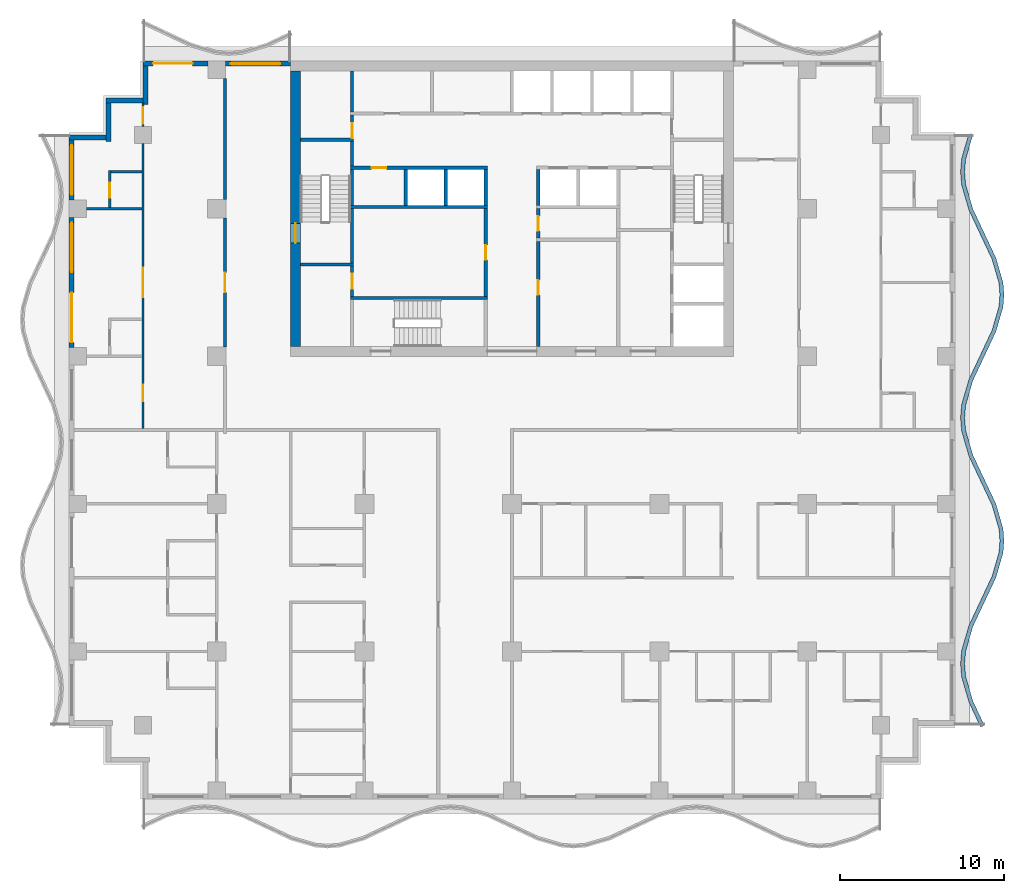
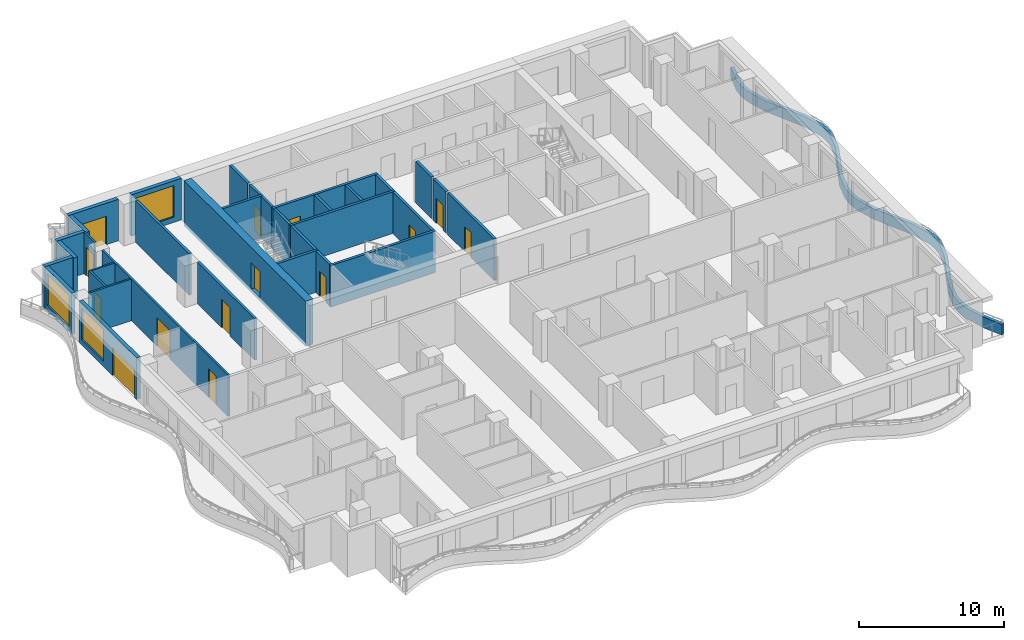
# One storey, part 5 of 11: 35 walls, 14 doors, 3 windows, 17 openings.
"""IFC4 building model written with IfcOpenShell, lengths in metres."""

from ifc_helpers import new_model, si_unit, direction, frame, frame_2d, origin, place, context, subcontext, project, spatial, polyline, rectangle, outline, extrude, material, layer, layer_set, type_object, element, fill, save


model = new_model("IFC4")

# Units and contexts
model_context = context("Model", 3, precision=1e-05, world=origin(), true_north=direction((0.0, 1.0)))
body_context = subcontext(model_context, "Body", "Model", "MODEL_VIEW")
ifc_project = project(units=[si_unit("LENGTHUNIT", "METRE"), si_unit("AREAUNIT", "SQUARE_METRE"), si_unit("VOLUMEUNIT", "CUBIC_METRE"), si_unit("PLANEANGLEUNIT", "RADIAN"), si_unit("MASSUNIT", "GRAM", prefix="KILO")], contexts=[model_context])

# Site, building, storey
site_placement = place(None, origin())
site = spatial("IfcSite", under=ifc_project, at=site_placement, CompositionType="ELEMENT")
building_placement = place(site_placement, origin())
building = spatial("IfcBuilding", under=site, at=building_placement, Name="Orbiselva Terraces", CompositionType="ELEMENT")
storey_placement = place(building_placement, frame((0.0, 0.0, 195.8)))
storey = spatial("IfcBuildingStorey", under=building, at=storey_placement, Name="L49", CompositionType="ELEMENT", Elevation=195.8)

# Wall, opening, door
ifc_material_1 = material(Name="Concrete C80/95", Category="concrete")
ifc_layer_1 = layer(ifc_material_1, 0.6)
ifc_layer_set_1 = layer_set([ifc_layer_1], Name="Concrete C80/95")
wall_type_1 = type_object("IfcWallType", Name="CORE WALL 600", PredefinedType="SHEAR", material=ifc_layer_set_1)
wall_1_placement = place(storey_placement, frame((-13.2, 21.9, -0.3), z_axis=(0.0, 0.0, 1.0), x_axis=(0.0, -1.0, 0.0)))
wall_1 = element("IfcWall", 1, at=wall_1_placement, inside=storey, type_object=wall_type_1, Name="Core wall L49 west", PredefinedType="SHEAR", context=body_context, shape_type="SweptSolid", body=[
    extrude(rectangle(XDim=16.8, YDim=0.6, at=frame_2d((8.4, 0.0))), origin(), (0.0, 0.0, 1.0), 3.8),
])
opening_1_placement = place(wall_1_placement, frame((9.3, 0.0, 0.3)))
opening_1 = element("IfcOpeningElement", 2, at=opening_1_placement, cuts=wall_1, Name="Opening DS1200", PredefinedType="OPENING", context=body_context, shape_type="SweptSolid", body=[
    extrude(rectangle(XDim=1.2, YDim=2.2, at=frame_2d((0.6, 1.1))), frame((0.0, 0.31, 0.0), z_axis=(0.0, -1.0, 0.0), x_axis=(1.0, 0.0, 0.0)), (0.0, 0.0, 1.0), 0.62),
])
ifc_material_2 = material(Name="Steel fire door", Category="steel")
door_type_1 = type_object("IfcDoorType", Name="STAIR DOOR 1200", OperationType="NOTDEFINED", PredefinedType="DOOR", material=ifc_material_2)
door_1_placement = place(opening_1_placement, frame((1.2, 0.0, 0.0), z_axis=(0.0, 0.0, 1.0), x_axis=(-1.0, 0.0, 0.0)))
door_1 = element("IfcDoor", 3, at=door_1_placement, inside=storey, type_object=door_type_1, Name="L49 EXIT STAIR S1 door", OperationType="SINGLE_SWING_RIGHT", OverallHeight=2.2, OverallWidth=1.2, PredefinedType="DOOR", context=body_context, shape_type="SweptSolid", body=[
    extrude(rectangle(XDim=1.2, YDim=2.2, at=frame_2d((0.6, 1.1))), frame((0.0, 0.025, 0.0), z_axis=(0.0, -1.0, 0.0), x_axis=(1.0, 0.0, 0.0)), (0.0, 0.0, 1.0), 0.05),
])
fill(opening_1, door_1)

ifc_material_3 = material(Name="Masonry blockwork", Category="masonry")
ifc_layer_2 = layer(ifc_material_3, 0.2)
ifc_layer_set_2 = layer_set([ifc_layer_2], Name="Masonry blockwork")
wall_type_2 = type_object("IfcWallType", Name="CORE-WALL-PARTITION-200", PredefinedType="PARTITIONING", material=ifc_layer_set_2)
wall_2_placement = place(storey_placement, frame((-9.75, 8.15, 0.0), z_axis=(0.0, 0.0, 1.0), x_axis=(0.0, 1.0, 0.0)))
wall_2 = element("IfcWall", 4, at=wall_2_placement, inside=storey, type_object=wall_type_2, Name="L49 core wall 05", PredefinedType="PARTITIONING", context=body_context, shape_type="SweptSolid", body=[
    extrude(rectangle(XDim=1.85, YDim=0.2, at=frame_2d((0.925, 0.0))), origin(), (0.0, 0.0, 1.0), 3.5),
])
opening_2_placement = place(wall_2_placement, frame((0.475, 0.0, 0.0)))
opening_2 = element("IfcOpeningElement", 5, at=opening_2_placement, cuts=wall_2, Name="Opening DR900", PredefinedType="OPENING", context=body_context, shape_type="SweptSolid", body=[
    extrude(rectangle(XDim=0.9, YDim=2.1, at=frame_2d((0.45, 1.05))), frame((0.0, 0.11, 0.0), z_axis=(0.0, -1.0, 0.0), x_axis=(1.0, 0.0, 0.0)), (0.0, 0.0, 1.0), 0.22),
])
door_type_2 = type_object("IfcDoorType", Name="ROOM DOOR 900", OperationType="NOTDEFINED", PredefinedType="DOOR", material=ifc_material_2)
door_2_placement = place(opening_2_placement, origin())
door_2 = element("IfcDoor", 6, at=door_2_placement, inside=storey, type_object=door_type_2, Name="L49 ACCESSIBLE WC door", OperationType="SINGLE_SWING_RIGHT", OverallHeight=2.1, OverallWidth=0.9, PredefinedType="DOOR", context=body_context, shape_type="SweptSolid", body=[
    extrude(rectangle(XDim=0.9, YDim=2.1, at=frame_2d((0.45, 1.05))), frame((0.0, 0.025, 0.0), z_axis=(0.0, -1.0, 0.0), x_axis=(1.0, 0.0, 0.0)), (0.0, 0.0, 1.0), 0.05),
])
fill(opening_2, door_2)

wall_3_placement = place(storey_placement, frame((-9.75, 17.8, 0.0), z_axis=(0.0, 0.0, 1.0), x_axis=(0.0, 1.0, 0.0)))
wall_3 = element("IfcWall", 7, at=wall_3_placement, inside=storey, type_object=wall_type_2, Name="L49 core wall 11", PredefinedType="PARTITIONING", context=body_context, shape_type="SweptSolid", body=[
    extrude(rectangle(XDim=1.4, YDim=0.2, at=frame_2d((0.7, 0.0))), origin(), (0.0, 0.0, 1.0), 3.5),
])
opening_3_placement = place(wall_3_placement, origin())
opening_3 = element("IfcOpeningElement", 8, at=opening_3_placement, cuts=wall_3, Name="Opening DR900", PredefinedType="OPENING", context=body_context, shape_type="SweptSolid", body=[
    extrude(rectangle(XDim=0.9, YDim=2.1, at=frame_2d((0.45, 1.05))), frame((0.0, 0.11, 0.0), z_axis=(0.0, -1.0, 0.0), x_axis=(1.0, 0.0, 0.0)), (0.0, 0.0, 1.0), 0.22),
])
door_3_placement = place(opening_3_placement, origin())
door_3 = element("IfcDoor", 9, at=door_3_placement, inside=storey, type_object=door_type_2, Name="L49 COMMS RISER ROOM door", OperationType="SINGLE_SWING_LEFT", OverallHeight=2.1, OverallWidth=0.9, PredefinedType="DOOR", context=body_context, shape_type="SweptSolid", body=[
    extrude(rectangle(XDim=0.9, YDim=2.1, at=frame_2d((0.45, 1.05))), frame((0.0, 0.025, 0.0), z_axis=(0.0, -1.0, 0.0), x_axis=(1.0, 0.0, 0.0)), (0.0, 0.0, 1.0), 0.05),
])
fill(opening_3, door_3)

# Wall
wall_4_placement = place(storey_placement, frame((-9.75, 19.4, 0.0), z_axis=(0.0, 0.0, 1.0), x_axis=(0.0, 1.0, 0.0)))
element("IfcWall", 10, at=wall_4_placement, inside=storey, type_object=wall_type_2, Name="L49 core wall 13", PredefinedType="PARTITIONING", context=body_context, shape_type="SweptSolid", body=[
    extrude(rectangle(XDim=2.5, YDim=0.2, at=frame_2d((1.25, 0.0))), origin(), (0.0, 0.0, 1.0), 3.5),
])

# Wall, opening, door
wall_5_placement = place(storey_placement, frame((1.6, 13.5, 0.0), z_axis=(0.0, 0.0, 1.0), x_axis=(0.0, -1.0, 0.0)))
wall_5 = element("IfcWall", 11, at=wall_5_placement, inside=storey, type_object=wall_type_2, Name="L49 core wall 23", PredefinedType="PARTITIONING", context=body_context, shape_type="SweptSolid", body=[
    extrude(rectangle(XDim=1.8, YDim=0.2, at=frame_2d((0.9, 0.0))), origin(), (0.0, 0.0, 1.0), 3.5),
])
opening_4_placement = place(wall_5_placement, frame((0.45, 0.0, 0.0)))
opening_4 = element("IfcOpeningElement", 12, at=opening_4_placement, cuts=wall_5, Name="Opening DR900", PredefinedType="OPENING", context=body_context, shape_type="SweptSolid", body=[
    extrude(rectangle(XDim=0.9, YDim=2.1, at=frame_2d((0.45, 1.05))), frame((0.0, 0.11, 0.0), z_axis=(0.0, -1.0, 0.0), x_axis=(1.0, 0.0, 0.0)), (0.0, 0.0, 1.0), 0.22),
])
door_4_placement = place(opening_4_placement, origin())
door_4 = element("IfcDoor", 13, at=door_4_placement, inside=storey, type_object=door_type_2, Name="L49 IT ROOM door", OperationType="SINGLE_SWING_LEFT", OverallHeight=2.1, OverallWidth=0.9, PredefinedType="DOOR", context=body_context, shape_type="SweptSolid", body=[
    extrude(rectangle(XDim=0.9, YDim=2.1, at=frame_2d((0.45, 1.05))), frame((0.0, 0.025, 0.0), z_axis=(0.0, -1.0, 0.0), x_axis=(1.0, 0.0, 0.0)), (0.0, 0.0, 1.0), 0.05),
])
fill(opening_4, door_4)

# Walls
ifc_material_4 = material(Name="Concrete C40/50", Category="concrete")
ifc_layer_3 = layer(ifc_material_4, 0.2)
ifc_layer_set_3 = layer_set([ifc_layer_3], Name="Concrete C40/50")
wall_type_3 = type_object("IfcWallType", Name="CORE-WALL-SHAFT-200", PredefinedType="PARTITIONING", material=ifc_layer_set_3)
for number, where, z_axis, x_axis, name in (
    (14, (-6.475, 13.7, 0.0), (0.0, 0.0, 1.0), (0.0, 1.0, 0.0), "L49 core wall 14"),
    (15, (-4.0375, 13.7, 0.0), (0.0, 0.0, 1.0), (0.0, 1.0, 0.0), "L49 core wall 16"),
    (16, (-1.6, 13.7, 0.0), (0.0, 0.0, 1.0), (0.0, 1.0, 0.0), "L49 core wall 19"),
    (17, (1.6, 13.7, 0.0), (0.0, 0.0, 1.0), (0.0, 1.0, 0.0), "L49 core wall 25"),
):
    element("IfcWall", number, at=place(storey_placement, frame(where, z_axis=z_axis, x_axis=x_axis)), inside=storey, type_object=wall_type_3, Name=name, PredefinedType="PARTITIONING", context=body_context, shape_type="SweptSolid", body=[
        extrude(rectangle(XDim=2.2, YDim=0.2, at=frame_2d((1.1, 0.0))), origin(), (0.0, 0.0, 1.0), 3.5),
    ])
ifc_material_5 = material(Name="Concrete C60/75", Category="concrete")
ifc_layer_4 = layer(ifc_material_5, 0.2)
ifc_layer_set_4 = layer_set([ifc_layer_4], Name="Concrete C60/75")
wall_type_4 = type_object("IfcWallType", Name="CORE-WALL-SHEAR-200", PredefinedType="SHEAR", material=ifc_layer_set_4)
for number, where, z_axis, x_axis, name in (
    (18, (-12.9, 10.1, 0.0), (0.0, 0.0, 1.0), (1.0, 0.0, 0.0), "L49 core wall 01"),
    (19, (-12.9, 17.7, 0.0), (0.0, 0.0, 1.0), (1.0, 0.0, 0.0), "L49 core wall 02"),
):
    element("IfcWall", number, at=place(storey_placement, frame(where, z_axis=z_axis, x_axis=x_axis)), inside=storey, type_object=wall_type_4, Name=name, PredefinedType="SHEAR", context=body_context, shape_type="SweptSolid", body=[
        extrude(rectangle(XDim=3.25, YDim=0.2, at=frame_2d((1.625, 0.0))), origin(), (0.0, 0.0, 1.0), 3.5),
    ])
wall_6_placement = place(storey_placement, frame((-9.85, 8.05, 0.0), z_axis=(0.0, 0.0, 1.0), x_axis=(1.0, 0.0, 0.0)))
element("IfcWall", 20, at=wall_6_placement, inside=storey, type_object=wall_type_4, Name="L49 core wall 04", PredefinedType="SHEAR", context=body_context, shape_type="SweptSolid", body=[
    extrude(rectangle(XDim=8.35, YDim=0.2, at=frame_2d((4.175, 0.0))), origin(), (0.0, 0.0, 1.0), 3.5),
])
wall_7_placement = place(storey_placement, frame((-9.75, 10.2, 0.0), z_axis=(0.0, 0.0, 1.0), x_axis=(0.0, 1.0, 0.0)))
element("IfcWall", 21, at=wall_7_placement, inside=storey, type_object=wall_type_4, Name="L49 core wall 06", PredefinedType="SHEAR", context=body_context, shape_type="SweptSolid", body=[
    extrude(rectangle(XDim=3.3, YDim=0.2, at=frame_2d((1.65, 0.0))), origin(), (0.0, 0.0, 1.0), 3.5),
])
wall_8_placement = place(storey_placement, frame((-9.85, 13.6, 0.0), z_axis=(0.0, 0.0, 1.0), x_axis=(1.0, 0.0, 0.0)))
element("IfcWall", 22, at=wall_8_placement, inside=storey, type_object=wall_type_4, Name="L49 core wall 07", PredefinedType="SHEAR", context=body_context, shape_type="SweptSolid", body=[
    extrude(rectangle(XDim=8.35, YDim=0.2, at=frame_2d((4.175, 0.0))), origin(), (0.0, 0.0, 1.0), 3.5),
])
wall_9_placement = place(storey_placement, frame((-9.75, 13.7, 0.0), z_axis=(0.0, 0.0, 1.0), x_axis=(0.0, 1.0, 0.0)))
element("IfcWall", 23, at=wall_9_placement, inside=storey, type_object=wall_type_4, Name="L49 core wall 08", PredefinedType="SHEAR", context=body_context, shape_type="SweptSolid", body=[
    extrude(rectangle(XDim=2.2, YDim=0.2, at=frame_2d((1.1, 0.0))), origin(), (0.0, 0.0, 1.0), 3.5),
])

# Wall, opening, door
wall_10_placement = place(storey_placement, frame((-1.5, 16.0, 0.0), z_axis=(0.0, 0.0, 1.0), x_axis=(-1.0, 0.0, 0.0)))
wall_10 = element("IfcWall", 24, at=wall_10_placement, inside=storey, type_object=wall_type_4, Name="L49 core wall 09", PredefinedType="SHEAR", context=body_context, shape_type="SweptSolid", body=[
    extrude(rectangle(XDim=8.35, YDim=0.2, at=frame_2d((4.175, 0.0))), origin(), (0.0, 0.0, 1.0), 3.5),
])
opening_5_placement = place(wall_10_placement, frame((6.1625, 0.0, 0.0)))
opening_5 = element("IfcOpeningElement", 25, at=opening_5_placement, cuts=wall_10, Name="Opening DR900", PredefinedType="OPENING", context=body_context, shape_type="SweptSolid", body=[
    extrude(rectangle(XDim=0.9, YDim=2.1, at=frame_2d((0.45, 1.05))), frame((0.0, 0.11, 0.0), z_axis=(0.0, -1.0, 0.0), x_axis=(1.0, 0.0, 0.0)), (0.0, 0.0, 1.0), 0.22),
])
door_5_placement = place(opening_5_placement, origin())
door_5 = element("IfcDoor", 26, at=door_5_placement, inside=storey, type_object=door_type_2, Name="L49 IT ROOM door", OperationType="SINGLE_SWING_RIGHT", OverallHeight=2.1, OverallWidth=0.9, PredefinedType="DOOR", context=body_context, shape_type="SweptSolid", body=[
    extrude(rectangle(XDim=0.9, YDim=2.1, at=frame_2d((0.45, 1.05))), frame((0.0, 0.025, 0.0), z_axis=(0.0, -1.0, 0.0), x_axis=(1.0, 0.0, 0.0)), (0.0, 0.0, 1.0), 0.05),
])
fill(opening_5, door_5)

# Wall
wall_11_placement = place(storey_placement, frame((-9.75, 16.1, 0.0), z_axis=(0.0, 0.0, 1.0), x_axis=(0.0, 1.0, 0.0)))
element("IfcWall", 27, at=wall_11_placement, inside=storey, type_object=wall_type_4, Name="L49 core wall 10", PredefinedType="SHEAR", context=body_context, shape_type="SweptSolid", body=[
    extrude(rectangle(XDim=1.5, YDim=0.2, at=frame_2d((0.75, 0.0))), origin(), (0.0, 0.0, 1.0), 3.5),
])

# Wall, opening, door
wall_12_placement = place(storey_placement, frame((-1.6, 8.15, 0.0), z_axis=(0.0, 0.0, 1.0), x_axis=(0.0, 1.0, 0.0)))
wall_12 = element("IfcWall", 28, at=wall_12_placement, inside=storey, type_object=wall_type_4, Name="L49 core wall 18", PredefinedType="SHEAR", context=body_context, shape_type="SweptSolid", body=[
    extrude(rectangle(XDim=5.35, YDim=0.2, at=frame_2d((2.675, 0.0))), origin(), (0.0, 0.0, 1.0), 3.5),
])
opening_6_placement = place(wall_12_placement, frame((2.225, 0.0, 0.0)))
opening_6 = element("IfcOpeningElement", 29, at=opening_6_placement, cuts=wall_12, Name="Opening DR900", PredefinedType="OPENING", context=body_context, shape_type="SweptSolid", body=[
    extrude(rectangle(XDim=0.9, YDim=2.1, at=frame_2d((0.45, 1.05))), frame((0.0, 0.11, 0.0), z_axis=(0.0, -1.0, 0.0), x_axis=(1.0, 0.0, 0.0)), (0.0, 0.0, 1.0), 0.22),
])
door_6_placement = place(opening_6_placement, origin())
door_6 = element("IfcDoor", 30, at=door_6_placement, inside=storey, type_object=door_type_2, Name="L49 LINEN STORE door", OperationType="SINGLE_SWING_RIGHT", OverallHeight=2.1, OverallWidth=0.9, PredefinedType="DOOR", context=body_context, shape_type="SweptSolid", body=[
    extrude(rectangle(XDim=0.9, YDim=2.1, at=frame_2d((0.45, 1.05))), frame((0.0, 0.025, 0.0), z_axis=(0.0, -1.0, 0.0), x_axis=(1.0, 0.0, 0.0)), (0.0, 0.0, 1.0), 0.05),
])
fill(opening_6, door_6)

wall_13_placement = place(storey_placement, frame((1.6, 11.5, 0.0), z_axis=(0.0, 0.0, 1.0), x_axis=(0.0, -1.0, 0.0)))
wall_13 = element("IfcWall", 31, at=wall_13_placement, inside=storey, type_object=wall_type_4, Name="L49 core wall 21", PredefinedType="SHEAR", context=body_context, shape_type="SweptSolid", body=[
    extrude(rectangle(XDim=6.4, YDim=0.2, at=frame_2d((3.2, 0.0))), origin(), (0.0, 0.0, 1.0), 3.5),
])
opening_7_placement = place(wall_13_placement, frame((2.35, 0.0, 0.0)))
opening_7 = element("IfcOpeningElement", 32, at=opening_7_placement, cuts=wall_13, Name="Opening DR900", PredefinedType="OPENING", context=body_context, shape_type="SweptSolid", body=[
    extrude(rectangle(XDim=0.9, YDim=2.1, at=frame_2d((0.45, 1.05))), frame((0.0, 0.11, 0.0), z_axis=(0.0, -1.0, 0.0), x_axis=(1.0, 0.0, 0.0)), (0.0, 0.0, 1.0), 0.22),
])
door_7_placement = place(opening_7_placement, origin())
door_7 = element("IfcDoor", 33, at=door_7_placement, inside=storey, type_object=door_type_2, Name="L49 SERVICE ROOM door", OperationType="SINGLE_SWING_LEFT", OverallHeight=2.1, OverallWidth=0.9, PredefinedType="DOOR", context=body_context, shape_type="SweptSolid", body=[
    extrude(rectangle(XDim=0.9, YDim=2.1, at=frame_2d((0.45, 1.05))), frame((0.0, 0.025, 0.0), z_axis=(0.0, -1.0, 0.0), x_axis=(1.0, 0.0, 0.0)), (0.0, 0.0, 1.0), 0.05),
])
fill(opening_7, door_7)

# Wall
ifc_layer_5 = layer(ifc_material_4, 0.25)
ifc_layer_set_5 = layer_set([ifc_layer_5], Name="Concrete C40/50")
wall_type_5 = type_object("IfcWallType", Name="ENV-PLANTER-250x900", PredefinedType="USERDEFINED", material=ifc_layer_set_5)
wall_14_placement = place(storey_placement, origin())
element("IfcWall", 34, at=wall_14_placement, inside=storey, type_object=wall_type_5, Name="Balcony planter L49 E", ObjectType="PLANTER", PredefinedType="USERDEFINED", context=body_context, shape_type="SweptSolid", body=[
    extrude(outline(polyline([(28.8, -18.0), (28.094658, -16.5), (27.658732, -15.0), (27.6, -14.25), (27.658732, -13.5), (28.094658, -12.0), (28.8, -10.5), (29.505342, -9.0), (29.941268, -7.5), (30.0, -6.75), (29.941268, -6.0), (29.505342, -4.5), (28.8, -3.0), (28.094658, -1.5), (27.658732, 0.0), (27.6, 0.75), (27.658732, 1.5), (28.094658, 3.0), (28.8, 4.5), (29.505342, 6.0), (29.941268, 7.5), (30.0, 8.25), (29.941268, 9.0), (29.505342, 10.5), (28.8, 12.0), (28.094658, 13.5), (27.658732, 15.0), (27.6, 15.75), (27.658732, 16.5), (28.094658, 18.0), (27.85459, 18.069768), (27.411499, 16.545114), (27.349235, 15.75), (27.411499, 14.954886), (27.860069, 13.411382), (28.573764, 11.893617), (29.270753, 10.411382), (29.694035, 8.954886), (29.749235, 8.25), (29.694035, 7.545114), (29.270753, 6.088618), (28.573764, 4.606383), (27.860069, 3.088618), (27.411499, 1.545114), (27.349235, 0.75), (27.411499, -0.045114), (27.860069, -1.588618), (28.573764, -3.106383), (29.270753, -4.588618), (29.694035, -6.045114), (29.749235, -6.75), (29.694035, -7.454886), (29.270753, -8.911382), (28.573764, -10.393617), (27.860069, -11.911382), (27.411499, -13.454886), (27.349235, -14.25), (27.411499, -15.045114), (27.860069, -16.588618), (28.573764, -18.106383), (28.8, -18.0)])), origin(), (0.0, 0.0, 1.0), 0.9),
])

# Wall, opening, window
ifc_material_6 = material(Name="Terracotta cladding on masonry backing", Category="masonry")
ifc_layer_6 = layer(ifc_material_6, 0.3)
ifc_layer_set_6 = layer_set([ifc_layer_6], Name="Terracotta cladding on masonry backing")
wall_type_6 = type_object("IfcWallType", Name="ENV-WALL-TERRACOTTA-300", PredefinedType="SOLIDWALL", material=ifc_layer_set_6)
wall_15_placement = place(storey_placement, frame((-17.475, 22.35, 0.0), z_axis=(0.0, 0.0, 1.0), x_axis=(1.0, 0.0, 0.0)))
wall_15 = element("IfcWall", 35, at=wall_15_placement, inside=storey, type_object=wall_type_6, Name="Facade wall L49 NW", PredefinedType="SOLIDWALL", context=body_context, shape_type="SweptSolid", body=[
    extrude(rectangle(XDim=3.975, YDim=0.3, at=frame_2d((1.9875, 0.0))), origin(), (0.0, 0.0, 1.0), 3.5),
])
opening_8_placement = place(wall_15_placement, frame((0.325, 0.0, 0.45)))
opening_8 = element("IfcOpeningElement", 36, at=opening_8_placement, cuts=wall_15, Name="Opening WN14", PredefinedType="OPENING", context=body_context, shape_type="SweptSolid", body=[
    extrude(rectangle(XDim=3.025, YDim=2.65, at=frame_2d((1.5125, 1.325))), frame((0.0, 0.16, 0.0), z_axis=(0.0, -1.0, 0.0), x_axis=(1.0, 0.0, 0.0)), (0.0, 0.0, 1.0), 0.32),
])
ifc_material_7 = material(Name="Clear low-e glazing in aluminium frame", Category="aluminium")
window_type = type_object("IfcWindowType", Name="WINDOW 3025 X 2650 S450", PartitioningType="TRIPLE_PANEL_VERTICAL", PredefinedType="WINDOW", material=ifc_material_7)
window_1_placement = place(opening_8_placement, origin())
window_1 = element("IfcWindow", 37, at=window_1_placement, inside=storey, type_object=window_type, Name="Window L49 NW", OverallHeight=2.65, OverallWidth=3.025, PartitioningType="SINGLE_PANEL", PredefinedType="WINDOW", context=body_context, shape_type="SweptSolid", body=[
    extrude(rectangle(XDim=3.025, YDim=2.65, at=frame_2d((1.5125, 1.325))), frame((0.0, 0.03, 0.0), z_axis=(0.0, -1.0, 0.0), x_axis=(1.0, 0.0, 0.0)), (0.0, 0.0, 1.0), 0.06),
])
fill(opening_8, window_1)

# Wall, opening, door
wall_16_placement = place(storey_placement, frame((-22.5, 22.35, 0.0), z_axis=(0.0, 0.0, 1.0), x_axis=(1.0, 0.0, 0.0)))
wall_16 = element("IfcWall", 38, at=wall_16_placement, inside=storey, type_object=wall_type_6, Name="Facade wall L49 NW", PredefinedType="SOLIDWALL", context=body_context, shape_type="SweptSolid", body=[
    extrude(rectangle(XDim=3.975, YDim=0.3, at=frame_2d((1.9875, 0.0))), origin(), (0.0, 0.0, 1.0), 3.5),
])
opening_9_placement = place(wall_16_placement, frame((0.625, 0.0, 0.0)))
opening_9 = element("IfcOpeningElement", 39, at=opening_9_placement, cuts=wall_16, Name="Opening Z4-B-E07", PredefinedType="OPENING", context=body_context, shape_type="SweptSolid", body=[
    extrude(rectangle(XDim=2.4, YDim=2.4, at=frame_2d((1.2, 1.2))), frame((0.0, 0.16, 0.0), z_axis=(0.0, -1.0, 0.0), x_axis=(1.0, 0.0, 0.0)), (0.0, 0.0, 1.0), 0.32),
])
door_type_3 = type_object("IfcDoorType", Name="BALCONY DOOR 2400 X 2400", OperationType="DOUBLE_DOOR_SLIDING", PredefinedType="DOOR", material=ifc_material_7)
door_8_placement = place(opening_9_placement, origin())
door_8 = element("IfcDoor", 40, at=door_8_placement, inside=storey, type_object=door_type_3, Name="Z4-B-E07", OperationType="SINGLE_SWING_LEFT", OverallHeight=2.4, OverallWidth=2.4, PredefinedType="DOOR", context=body_context, shape_type="SweptSolid", body=[
    extrude(rectangle(XDim=2.4, YDim=2.4, at=frame_2d((1.2, 1.2))), frame((0.0, 0.025, 0.0), z_axis=(0.0, -1.0, 0.0), x_axis=(1.0, 0.0, 0.0)), (0.0, 0.0, 1.0), 0.05),
])
fill(opening_9, door_8)

# Walls
wall_17_placement = place(storey_placement, frame((-22.35, 19.85, 0.0), z_axis=(0.0, 0.0, 1.0), x_axis=(0.0, 1.0, 0.0)))
element("IfcWall", 41, at=wall_17_placement, inside=storey, type_object=wall_type_6, Name="Facade wall L49 STEP", PredefinedType="SOLIDWALL", context=body_context, shape_type="SweptSolid", body=[
    extrude(rectangle(XDim=2.35, YDim=0.3, at=frame_2d((1.175, 0.0))), origin(), (0.0, 0.0, 1.0), 3.5),
])
wall_18_placement = place(storey_placement, frame((-24.75, 20.1, 0.0), z_axis=(0.0, 0.0, 1.0), x_axis=(1.0, 0.0, 0.0)))
element("IfcWall", 42, at=wall_18_placement, inside=storey, type_object=wall_type_6, Name="Facade wall L49 STEP", PredefinedType="SOLIDWALL", context=body_context, shape_type="SweptSolid", body=[
    extrude(rectangle(XDim=2.25, YDim=0.3, at=frame_2d((1.125, 0.0))), origin(), (0.0, 0.0, 1.0), 3.5),
])
wall_19_placement = place(storey_placement, frame((-24.6, 17.6, 0.0), z_axis=(0.0, 0.0, 1.0), x_axis=(0.0, 1.0, 0.0)))
element("IfcWall", 43, at=wall_19_placement, inside=storey, type_object=wall_type_6, Name="Facade wall L49 STEP", PredefinedType="SOLIDWALL", context=body_context, shape_type="SweptSolid", body=[
    extrude(rectangle(XDim=2.35, YDim=0.3, at=frame_2d((1.175, 0.0))), origin(), (0.0, 0.0, 1.0), 3.5),
])
wall_20_placement = place(storey_placement, frame((-27.0, 17.85, 0.0), z_axis=(0.0, 0.0, 1.0), x_axis=(1.0, 0.0, 0.0)))
element("IfcWall", 44, at=wall_20_placement, inside=storey, type_object=wall_type_6, Name="Facade wall L49 STEP", PredefinedType="SOLIDWALL", context=body_context, shape_type="SweptSolid", body=[
    extrude(rectangle(XDim=2.25, YDim=0.3, at=frame_2d((1.125, 0.0))), origin(), (0.0, 0.0, 1.0), 3.5),
])

# Wall, opening, window
wall_21_placement = place(storey_placement, frame((-26.85, 14.025, 0.0), z_axis=(0.0, 0.0, 1.0), x_axis=(0.0, 1.0, 0.0)))
wall_21 = element("IfcWall", 45, at=wall_21_placement, inside=storey, type_object=wall_type_6, Name="Facade wall L49 W", PredefinedType="SOLIDWALL", context=body_context, shape_type="SweptSolid", body=[
    extrude(rectangle(XDim=3.675, YDim=0.3, at=frame_2d((1.8375, 0.0))), origin(), (0.0, 0.0, 1.0), 3.5),
])
opening_10_placement = place(wall_21_placement, frame((0.325, 0.0, 0.45)))
opening_10 = element("IfcOpeningElement", 46, at=opening_10_placement, cuts=wall_21, Name="Opening WN14", PredefinedType="OPENING", context=body_context, shape_type="SweptSolid", body=[
    extrude(rectangle(XDim=3.025, YDim=2.65, at=frame_2d((1.5125, 1.325))), frame((0.0, 0.16, 0.0), z_axis=(0.0, -1.0, 0.0), x_axis=(1.0, 0.0, 0.0)), (0.0, 0.0, 1.0), 0.32),
])
window_2_placement = place(opening_10_placement, origin())
window_2 = element("IfcWindow", 47, at=window_2_placement, inside=storey, type_object=window_type, Name="Window L49 W", OverallHeight=2.65, OverallWidth=3.025, PartitioningType="SINGLE_PANEL", PredefinedType="WINDOW", context=body_context, shape_type="SweptSolid", body=[
    extrude(rectangle(XDim=3.025, YDim=2.65, at=frame_2d((1.5125, 1.325))), frame((0.0, 0.03, 0.0), z_axis=(0.0, -1.0, 0.0), x_axis=(1.0, 0.0, 0.0)), (0.0, 0.0, 1.0), 0.06),
])
fill(opening_10, window_2)

# Wall, openings, door, window
wall_22_placement = place(storey_placement, frame((-26.85, 5.025, 0.0), z_axis=(0.0, 0.0, 1.0), x_axis=(0.0, 1.0, 0.0)))
wall_22 = element("IfcWall", 48, at=wall_22_placement, inside=storey, type_object=wall_type_6, Name="Facade wall L49 W", PredefinedType="SOLIDWALL", context=body_context, shape_type="SweptSolid", body=[
    extrude(rectangle(XDim=7.95, YDim=0.3, at=frame_2d((3.975, 0.0))), origin(), (0.0, 0.0, 1.0), 3.5),
])
opening_11_placement = place(wall_22_placement, frame((4.6, 0.0, 0.45)))
opening_11 = element("IfcOpeningElement", 49, at=opening_11_placement, cuts=wall_22, Name="Opening WN14", PredefinedType="OPENING", context=body_context, shape_type="SweptSolid", body=[
    extrude(rectangle(XDim=3.025, YDim=2.65, at=frame_2d((1.5125, 1.325))), frame((0.0, 0.16, 0.0), z_axis=(0.0, -1.0, 0.0), x_axis=(1.0, 0.0, 0.0)), (0.0, 0.0, 1.0), 0.32),
])
opening_12_placement = place(wall_22_placement, frame((0.325, 0.0, 0.0)))
opening_12 = element("IfcOpeningElement", 50, at=opening_12_placement, cuts=wall_22, Name="Opening Z4-B-E08", PredefinedType="OPENING", context=body_context, shape_type="SweptSolid", body=[
    extrude(rectangle(XDim=3.025, YDim=2.4, at=frame_2d((1.5125, 1.2))), frame((0.0, 0.16, 0.0), z_axis=(0.0, -1.0, 0.0), x_axis=(1.0, 0.0, 0.0)), (0.0, 0.0, 1.0), 0.32),
])
door_type_4 = type_object("IfcDoorType", Name="BALCONY DOOR 3025 X 2400", OperationType="DOUBLE_DOOR_SLIDING", PredefinedType="DOOR", material=ifc_material_7)
door_9_placement = place(opening_12_placement, origin())
door_9 = element("IfcDoor", 51, at=door_9_placement, inside=storey, type_object=door_type_4, Name="Z4-B-E08", OperationType="SINGLE_SWING_LEFT", OverallHeight=2.4, OverallWidth=3.025, PredefinedType="DOOR", context=body_context, shape_type="SweptSolid", body=[
    extrude(rectangle(XDim=3.025, YDim=2.4, at=frame_2d((1.5125, 1.2))), frame((0.0, 0.025, 0.0), z_axis=(0.0, -1.0, 0.0), x_axis=(1.0, 0.0, 0.0)), (0.0, 0.0, 1.0), 0.05),
])
fill(opening_12, door_9)
window_3_placement = place(opening_11_placement, origin())
window_3 = element("IfcWindow", 52, at=window_3_placement, inside=storey, type_object=window_type, Name="Window L49 W", OverallHeight=2.65, OverallWidth=3.025, PartitioningType="SINGLE_PANEL", PredefinedType="WINDOW", context=body_context, shape_type="SweptSolid", body=[
    extrude(rectangle(XDim=3.025, YDim=2.65, at=frame_2d((1.5125, 1.325))), frame((0.0, 0.03, 0.0), z_axis=(0.0, -1.0, 0.0), x_axis=(1.0, 0.0, 0.0)), (0.0, 0.0, 1.0), 0.06),
])
fill(opening_11, window_3)

# Wall, opening, door
ifc_material_8 = material(Name="Plasterboard on steel stud partition", Category="steel")
ifc_layer_7 = layer(ifc_material_8, 0.2)
ifc_layer_set_7 = layer_set([ifc_layer_7], Name="Plasterboard on steel stud partition")
wall_type_7 = type_object("IfcWallType", Name="UNIT-ENTRANCE-WALL-200", PredefinedType="PARTITIONING", material=ifc_layer_set_7)
wall_23_placement = place(storey_placement, frame((-17.5, 5.075, 0.0), z_axis=(0.0, 0.0, 1.0), x_axis=(0.0, 1.0, 0.0)))
wall_23 = element("IfcWall", 53, at=wall_23_placement, inside=storey, type_object=wall_type_7, Name="PARTITION L49-053", PredefinedType="PARTITIONING", context=body_context, shape_type="SweptSolid", body=[
    extrude(rectangle(XDim=7.85, YDim=0.2, at=frame_2d((3.925, 0.0))), origin(), (0.0, 0.0, 1.0), 3.5),
])
opening_13_placement = place(wall_23_placement, frame((3.325, 0.0, 0.0)))
opening_13 = element("IfcOpeningElement", 54, at=opening_13_placement, cuts=wall_23, Name="Opening Z4-B-02", PredefinedType="OPENING", context=body_context, shape_type="SweptSolid", body=[
    extrude(rectangle(XDim=1.2, YDim=2.4, at=frame_2d((0.6, 1.2))), frame((0.0, 0.11, 0.0), z_axis=(0.0, -1.0, 0.0), x_axis=(1.0, 0.0, 0.0)), (0.0, 0.0, 1.0), 0.22),
])
ifc_material_9 = material(Name="Painted timber door leaf", Category="wood")
door_type_5 = type_object("IfcDoorType", Name="ENTRANCE DOOR 1200", OperationType="NOTDEFINED", PredefinedType="DOOR", material=ifc_material_9)
door_10_placement = place(opening_13_placement, origin())
door_10 = element("IfcDoor", 55, at=door_10_placement, inside=storey, type_object=door_type_5, Name="Z4-B-02", OperationType="SINGLE_SWING_LEFT", OverallHeight=2.4, OverallWidth=1.2, PredefinedType="DOOR", context=body_context, shape_type="SweptSolid", body=[
    extrude(rectangle(XDim=1.2, YDim=2.4, at=frame_2d((0.6, 1.2))), frame((0.0, 0.025, 0.0), z_axis=(0.0, -1.0, 0.0), x_axis=(1.0, 0.0, 0.0)), (0.0, 0.0, 1.0), 0.05),
])
fill(opening_13, door_10)

# Walls
wall_24_placement = place(storey_placement, frame((-17.5, 14.075, 0.0), z_axis=(0.0, 0.0, 1.0), x_axis=(0.0, 1.0, 0.0)))
element("IfcWall", 56, at=wall_24_placement, inside=storey, type_object=wall_type_7, Name="PARTITION L49-054", PredefinedType="PARTITIONING", context=body_context, shape_type="SweptSolid", body=[
    extrude(rectangle(XDim=7.375, YDim=0.2, at=frame_2d((3.6875, 0.0))), origin(), (0.0, 0.0, 1.0), 3.5),
])
ifc_layer_8 = layer(ifc_material_8, 0.15)
ifc_layer_set_8 = layer_set([ifc_layer_8], Name="Plasterboard on steel stud partition")
wall_type_8 = type_object("IfcWallType", Name="UNIT-PARTITION-150", PredefinedType="PARTITIONING", material=ifc_layer_set_8)
wall_25_placement = place(storey_placement, frame((-25.95, 13.5, 0.0), z_axis=(0.0, 0.0, 1.0), x_axis=(1.0, 0.0, 0.0)))
element("IfcWall", 57, at=wall_25_placement, inside=storey, type_object=wall_type_8, Name="PARTITION L49-037", PredefinedType="PARTITIONING", context=body_context, shape_type="SweptSolid", body=[
    extrude(rectangle(XDim=3.375, YDim=0.15, at=frame_2d((1.6875, 0.0))), origin(), (0.0, 0.0, 1.0), 3.5),
])
wall_26_placement = place(storey_placement, frame((-24.45, 15.75, 0.0), z_axis=(0.0, 0.0, 1.0), x_axis=(1.0, 0.0, 0.0)))
element("IfcWall", 58, at=wall_26_placement, inside=storey, type_object=wall_type_8, Name="PARTITION L49-039", PredefinedType="PARTITIONING", context=body_context, shape_type="SweptSolid", body=[
    extrude(rectangle(XDim=1.875, YDim=0.15, at=frame_2d((0.9375, 0.0))), origin(), (0.0, 0.0, 1.0), 3.5),
])

# Wall, opening, door
wall_27_placement = place(storey_placement, frame((-24.525, 15.825, 0.0), z_axis=(0.0, 0.0, 1.0), x_axis=(0.0, -1.0, 0.0)))
wall_27 = element("IfcWall", 59, at=wall_27_placement, inside=storey, type_object=wall_type_8, Name="PARTITION L49-043", PredefinedType="PARTITIONING", context=body_context, shape_type="SweptSolid", body=[
    extrude(rectangle(XDim=2.25, YDim=0.15, at=frame_2d((1.125, 0.0))), origin(), (0.0, 0.0, 1.0), 3.5),
])
opening_14_placement = place(wall_27_placement, frame((0.75, 0.0, 0.0)))
opening_14 = element("IfcOpeningElement", 60, at=opening_14_placement, cuts=wall_27, Name="Opening Z4-B-07", PredefinedType="OPENING", context=body_context, shape_type="SweptSolid", body=[
    extrude(rectangle(XDim=0.9, YDim=2.1, at=frame_2d((0.45, 1.05))), frame((0.0, 0.085, 0.0), z_axis=(0.0, -1.0, 0.0), x_axis=(1.0, 0.0, 0.0)), (0.0, 0.0, 1.0), 0.17),
])
door_type_6 = type_object("IfcDoorType", Name="BATH DOOR 900", OperationType="NOTDEFINED", PredefinedType="DOOR", material=ifc_material_9)
door_11_placement = place(opening_14_placement, origin())
door_11 = element("IfcDoor", 61, at=door_11_placement, inside=storey, type_object=door_type_6, Name="Z4-B-07", OperationType="SINGLE_SWING_RIGHT", OverallHeight=2.1, OverallWidth=0.9, PredefinedType="DOOR", context=body_context, shape_type="SweptSolid", body=[
    extrude(rectangle(XDim=0.9, YDim=2.1, at=frame_2d((0.45, 1.05))), frame((0.0, 0.025, 0.0), z_axis=(0.0, -1.0, 0.0), x_axis=(1.0, 0.0, 0.0)), (0.0, 0.0, 1.0), 0.05),
])
fill(opening_14, door_11)

# Wall, openings, doors
wall_28_placement = place(storey_placement, frame((-22.5, 0.1, 0.0), z_axis=(0.0, 0.0, 1.0), x_axis=(0.0, 1.0, 0.0)))
wall_28 = element("IfcWall", 62, at=wall_28_placement, inside=storey, type_object=wall_type_8, Name="PARTITION L49-044", PredefinedType="PARTITIONING", context=body_context, shape_type="SweptSolid", body=[
    extrude(rectangle(XDim=17.375, YDim=0.15, at=frame_2d((8.6875, 0.0))), origin(), (0.0, 0.0, 1.0), 3.5),
])
opening_15_placement = place(wall_28_placement, frame((1.65, 0.0, 0.0)))
opening_15 = element("IfcOpeningElement", 63, at=opening_15_placement, cuts=wall_28, Name="Opening Z4-B-03", PredefinedType="OPENING", context=body_context, shape_type="SweptSolid", body=[
    extrude(rectangle(XDim=1.0, YDim=2.4, at=frame_2d((0.5, 1.2))), frame((0.0, 0.085, 0.0), z_axis=(0.0, -1.0, 0.0), x_axis=(1.0, 0.0, 0.0)), (0.0, 0.0, 1.0), 0.17),
])
opening_16_placement = place(wall_28_placement, frame((8.0, 0.0, 0.0)))
opening_16 = element("IfcOpeningElement", 64, at=opening_16_placement, cuts=wall_28, Name="Opening Z4-B-04", PredefinedType="OPENING", context=body_context, shape_type="SweptSolid", body=[
    extrude(rectangle(XDim=1.8, YDim=2.4, at=frame_2d((0.9, 1.2))), frame((0.0, 0.085, 0.0), z_axis=(0.0, -1.0, 0.0), x_axis=(1.0, 0.0, 0.0)), (0.0, 0.0, 1.0), 0.17),
])
door_type_7 = type_object("IfcDoorType", Name="DOUBLE DOOR 1800", OperationType="NOTDEFINED", PredefinedType="DOOR", material=ifc_material_9)
door_12_placement = place(opening_16_placement, origin())
door_12 = element("IfcDoor", 65, at=door_12_placement, inside=storey, type_object=door_type_7, Name="Z4-B-04", OperationType="DOUBLE_DOOR_SINGLE_SWING", OverallHeight=2.4, OverallWidth=1.8, PredefinedType="DOOR", context=body_context, shape_type="SweptSolid", body=[
    extrude(rectangle(XDim=1.8, YDim=2.4, at=frame_2d((0.9, 1.2))), frame((0.0, 0.025, 0.0), z_axis=(0.0, -1.0, 0.0), x_axis=(1.0, 0.0, 0.0)), (0.0, 0.0, 1.0), 0.05),
])
fill(opening_16, door_12)
door_type_8 = type_object("IfcDoorType", Name="ROOM DOOR 1000", OperationType="NOTDEFINED", PredefinedType="DOOR", material=ifc_material_9)
door_13_placement = place(opening_15_placement, origin())
door_13 = element("IfcDoor", 66, at=door_13_placement, inside=storey, type_object=door_type_8, Name="Z4-B-03", OperationType="SINGLE_SWING_LEFT", OverallHeight=2.4, OverallWidth=1.0, PredefinedType="DOOR", context=body_context, shape_type="SweptSolid", body=[
    extrude(rectangle(XDim=1.0, YDim=2.4, at=frame_2d((0.5, 1.2))), frame((0.0, 0.025, 0.0), z_axis=(0.0, -1.0, 0.0), x_axis=(1.0, 0.0, 0.0)), (0.0, 0.0, 1.0), 0.05),
])
fill(opening_15, door_13)

# Wall, opening, door
wall_29_placement = place(storey_placement, frame((-22.5, 18.525, 0.0), z_axis=(0.0, 0.0, 1.0), x_axis=(0.0, 1.0, 0.0)))
wall_29 = element("IfcWall", 67, at=wall_29_placement, inside=storey, type_object=wall_type_8, Name="PARTITION L49-045", PredefinedType="PARTITIONING", context=body_context, shape_type="SweptSolid", body=[
    extrude(rectangle(XDim=1.425, YDim=0.15, at=frame_2d((0.7125, 0.0))), origin(), (0.0, 0.0, 1.0), 3.5),
])
opening_17_placement = place(wall_29_placement, frame((0.15, 0.0, 0.0)))
opening_17 = element("IfcOpeningElement", 68, at=opening_17_placement, cuts=wall_29, Name="Opening Z4-B-06", PredefinedType="OPENING", context=body_context, shape_type="SweptSolid", body=[
    extrude(rectangle(XDim=1.0, YDim=2.4, at=frame_2d((0.5, 1.2))), frame((0.0, 0.085, 0.0), z_axis=(0.0, -1.0, 0.0), x_axis=(1.0, 0.0, 0.0)), (0.0, 0.0, 1.0), 0.17),
])
door_14_placement = place(opening_17_placement, origin())
door_14 = element("IfcDoor", 69, at=door_14_placement, inside=storey, type_object=door_type_8, Name="Z4-B-06", OperationType="SINGLE_SWING_LEFT", OverallHeight=2.4, OverallWidth=1.0, PredefinedType="DOOR", context=body_context, shape_type="SweptSolid", body=[
    extrude(rectangle(XDim=1.0, YDim=2.4, at=frame_2d((0.5, 1.2))), frame((0.0, 0.025, 0.0), z_axis=(0.0, -1.0, 0.0), x_axis=(1.0, 0.0, 0.0)), (0.0, 0.0, 1.0), 0.05),
])
fill(opening_17, door_14)

save(model, "model.ifc")
